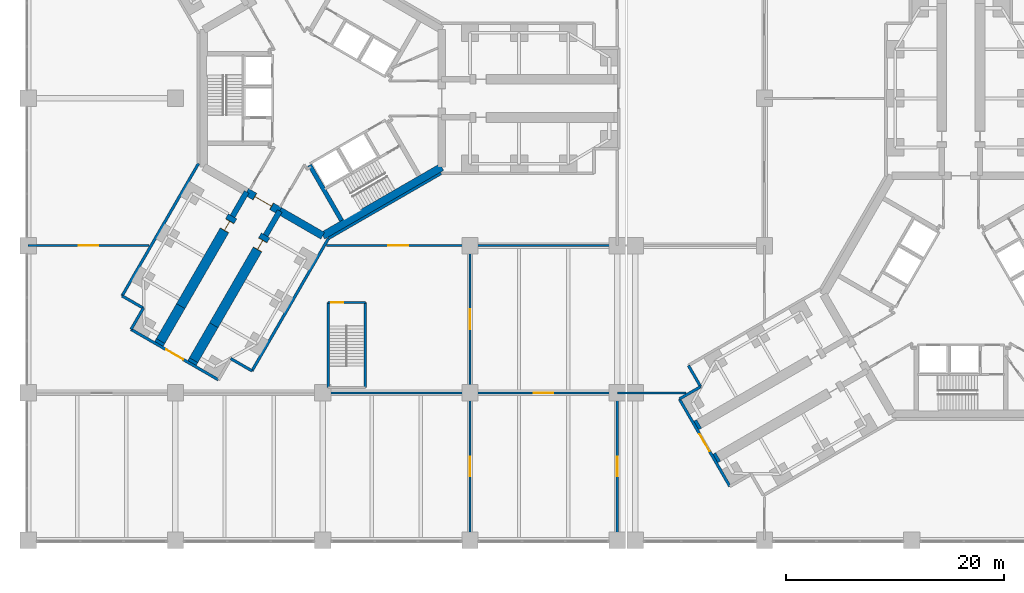
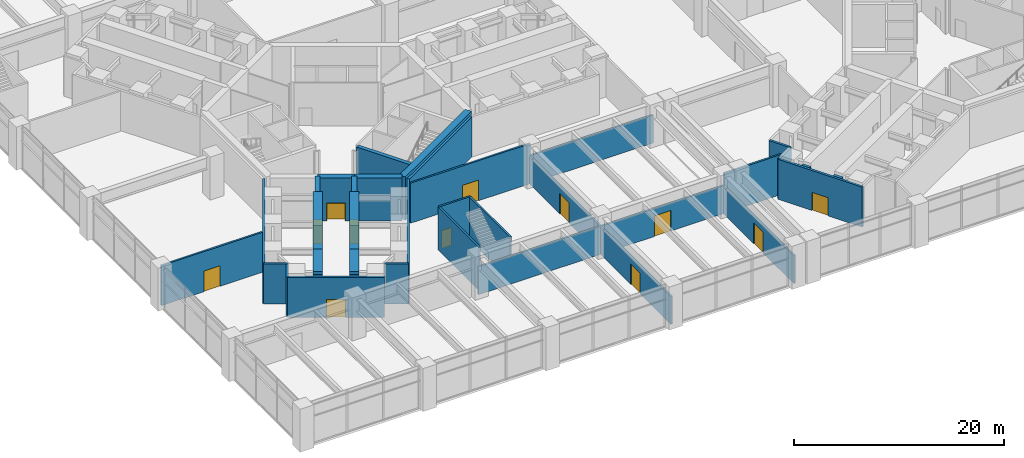
# One storey, part 21 of 32: 36 walls, 12 doors, 12 openings.
"""IFC4 building model written with IfcOpenShell, lengths in metres."""

import ifcopenshell
import ifcopenshell.guid

model = None  # the IFC model being written
_history = None  # IfcOwnerHistory: only IFC2X3 demands one
_inside = {}  # id of a spatial element -> (the spatial element, [elements in it])
_under = {}  # id of a project, library or spatial element -> (it, [spatial elements below it])
_declared = {}  # id of a project -> (the project, [libraries it declares])
_typed = {}  # id of a type object -> (the type object, [elements of that type])
_made_of = {}  # id of a material, layer set ... -> (it, [elements and type objects made of it])


def new_model(schema):
    """Start an empty IFC model of exactly this schema.

    Asked for "IFC4X3", IfcOpenShell would pick the latest addendum, in which some entities
    have other attributes; the version numbers below select the first issue.
    IFC2X3 requires an IfcOwnerHistory on every rooted entity: one is made here for all.
    """
    global model, _history
    if schema == "IFC4X3":
        model = ifcopenshell.file(schema_version=(4, 3, 0, 0))
    else:
        model = ifcopenshell.file(schema=schema)
    _inside.clear()
    _under.clear()
    _declared.clear()
    _typed.clear()
    _made_of.clear()
    _history = None
    if model.schema == "IFC2X3":
        org = make("IfcOrganization", Name="unknown")
        user = make(
            "IfcPersonAndOrganization",
            ThePerson=make("IfcPerson", FamilyName="unknown"),
            TheOrganization=org,
        )
        app = make(
            "IfcApplication",
            ApplicationDeveloper=org,
            Version="unknown",
            ApplicationFullName="unknown",
            ApplicationIdentifier="unknown",
        )
        _history = make(
            "IfcOwnerHistory",
            OwningUser=user,
            OwningApplication=app,
            ChangeAction="ADDED",
            CreationDate=0,
        )
    return model


def make(cls, **values):
    """One entity of the class cls with the attributes given. An attribute that is None is left unset."""
    return model.create_entity(
        cls, **{name: value for name, value in values.items() if value is not None}
    )


def rooted(cls, **values):
    """An entity with a GlobalId (a new one), such as an element, a storey or a relation."""
    return make(cls, GlobalId=ifcopenshell.guid.new(), OwnerHistory=_history, **values)


def si_unit(unit_type, name, prefix=None):
    """IfcSIUnit, for example si_unit("LENGTHUNIT", "METRE", prefix="MILLI")."""
    return make("IfcSIUnit", UnitType=unit_type, Prefix=prefix, Name=name)


def assignment(units):
    """IfcUnitAssignment: the units of a project."""
    return None if units is None else make("IfcUnitAssignment", Units=units)


def point(xyz):
    """IfcCartesianPoint."""
    return None if xyz is None else make("IfcCartesianPoint", Coordinates=xyz)


def direction(xyz):
    """IfcDirection."""
    return None if xyz is None else make("IfcDirection", DirectionRatios=xyz)


def frame(location, z_axis=None, x_axis=None):
    """IfcAxis2Placement3D, a coordinate frame: its origin and axes. An axis left out is left unset."""
    return make(
        "IfcAxis2Placement3D",
        Location=point(location),
        Axis=direction(z_axis),
        RefDirection=direction(x_axis),
    )


def frame_2d(location, x_axis=None):
    """IfcAxis2Placement2D, a coordinate frame in the plane: its origin and x axis."""
    return make(
        "IfcAxis2Placement2D", Location=point(location), RefDirection=direction(x_axis)
    )


def origin():
    """The frame at (0, 0, 0) with its axes left unset."""
    return frame((0.0, 0.0, 0.0))


def place(relative_to, where):
    """IfcLocalPlacement: puts the frame where relative to a parent placement (None: the world)."""
    return make(
        "IfcLocalPlacement", PlacementRelTo=relative_to, RelativePlacement=where
    )


def context(
    kind, dimensions, precision=None, world=None, true_north=None, identifier=None
):
    """IfcGeometricRepresentationContext, for example the 3D "Model" context."""
    return make(
        "IfcGeometricRepresentationContext",
        ContextIdentifier=identifier,
        ContextType=kind,
        CoordinateSpaceDimension=dimensions,
        Precision=precision,
        WorldCoordinateSystem=world,
        TrueNorth=true_north,
    )


def subcontext(parent, identifier, kind, view, scale=None):
    """IfcGeometricRepresentationSubContext, for example "Body" below "Model"."""
    return make(
        "IfcGeometricRepresentationSubContext",
        ContextIdentifier=identifier,
        ContextType=kind,
        ParentContext=parent,
        TargetScale=scale,
        TargetView=view,
    )


def project(units=None, contexts=None):
    """IfcProject with its units and contexts."""
    return rooted(
        "IfcProject",
        Name="project",
        RepresentationContexts=contexts,
        UnitsInContext=assignment(units),
    )


def spatial(cls, under=None, at=None, **own):
    """A site, building, storey or space (cls), placed at a placement, below another one or the project."""
    s = rooted(cls, ObjectPlacement=at, **own)
    if under is not None:
        _under.setdefault(under.id(), (under, []))[1].append(s)
    return s


def profile(cls, at=None, kind="AREA", **sizes):
    """A parametric profile (cls). Its sizes go by their IFC names, for example OverallWidth=200.0."""
    return make(cls, ProfileType=kind, Position=at, **sizes)


def rectangle(**sizes):
    """IfcRectangleProfileDef."""
    return profile("IfcRectangleProfileDef", **sizes)


def extrude(swept, where, along, depth):
    """IfcExtrudedAreaSolid: the profile swept, set in the frame where, extruded along a direction by depth."""
    return make(
        "IfcExtrudedAreaSolid",
        SweptArea=swept,
        Position=where,
        ExtrudedDirection=direction(along),
        Depth=depth,
    )


def shape(context_of_items, identifier, shape_type, items):
    """IfcShapeRepresentation: the items that make up one representation, for example the "Body"."""
    return make(
        "IfcShapeRepresentation",
        ContextOfItems=context_of_items,
        RepresentationIdentifier=identifier,
        RepresentationType=shape_type,
        Items=items,
    )


def material(Name=None, Category=None):
    """IfcMaterial."""
    return make("IfcMaterial", Name=Name, Category=Category)


def layer(
    of_material, thickness, ventilated=None, Name=None, Category=None, Priority=None
):
    """IfcMaterialLayer: one layer of a wall or slab, of a material (None: an air gap)."""
    return make(
        "IfcMaterialLayer",
        Material=of_material,
        LayerThickness=thickness,
        IsVentilated=ventilated,
        Name=Name,
        Category=Category,
        Priority=Priority,
    )


def layer_set(layers, Name=None):
    """IfcMaterialLayerSet."""
    return make("IfcMaterialLayerSet", MaterialLayers=layers, LayerSetName=Name)


def made_of(thing, what):
    """Note that an element or type object is made of a material, layer set ...; save() writes the relation."""
    if what is not None:
        _made_of.setdefault(what.id(), (what, []))[1].append(thing)
    return thing


def type_object(cls, material=None, **own):
    """A type object (cls), such as IfcWallType, which elements share."""
    return made_of(rooted(cls, **own), material)


def element(
    cls,
    number,
    at=None,
    inside=None,
    cuts=None,
    type_object=None,
    material=None,
    context=None,
    identifier="Body",
    shape_type=None,
    held_by="IfcProductDefinitionShape",
    body=None,
    shapes=None,
    **own,
):
    """One element of the class cls, such as IfcWall. Its Tag is "e" and its number.

    at: its placement. inside: the storey or other place that contains it. cuts: it is an
    opening in that element (IfcRelVoidsElement). A single representation is given by context,
    identifier, shape_type and body (its items); several are given by shapes. held_by: the class
    of the entity that holds the representations. save() writes the other relations.
    """
    e = rooted(cls, Tag="e%d" % number, ObjectPlacement=at, **own)
    if body is not None:
        shapes = [shape(context, identifier, shape_type, body)]
    if shapes is not None:
        e.Representation = make(held_by, Representations=shapes)
    if inside is not None:
        _inside.setdefault(inside.id(), (inside, []))[1].append(e)
    if cuts is not None:
        rooted(
            "IfcRelVoidsElement", RelatingBuildingElement=cuts, RelatedOpeningElement=e
        )
    if type_object is not None:
        _typed.setdefault(type_object.id(), (type_object, []))[1].append(e)
    return made_of(e, material)


def fill(opening, filler):
    """IfcRelFillsElement: the door or window that sits in an opening."""
    return rooted(
        "IfcRelFillsElement",
        RelatingOpeningElement=opening,
        RelatedBuildingElement=filler,
    )


def aggregate(whole, parts):
    """IfcRelAggregates: a whole, such as a stair, and the parts it consists of."""
    return rooted("IfcRelAggregates", RelatingObject=whole, RelatedObjects=parts)


def save(model, path):
    """Write the relations noted so far, then the file.

    IfcRelAggregates (storeys below a building ...), IfcRelContainedInSpatialStructure (elements
    in a storey), IfcRelDefinesByType, IfcRelAssociatesMaterial and IfcRelDeclares: one each for
    every whole, place, type object, material and project.
    """
    for whole, parts in _under.values():
        aggregate(whole, parts)
    for where, things in _inside.values():
        rooted(
            "IfcRelContainedInSpatialStructure",
            RelatedElements=things,
            RelatingStructure=where,
        )
    for kind, things in _typed.values():
        rooted("IfcRelDefinesByType", RelatedObjects=things, RelatingType=kind)
    for what, things in _made_of.values():
        rooted("IfcRelAssociatesMaterial", RelatedObjects=things, RelatingMaterial=what)
    for by, libraries in _declared.values():
        rooted("IfcRelDeclares", RelatingContext=by, RelatedDefinitions=libraries)
    model.write(path)


model = new_model("IFC4")

# Units and contexts
model_context = context("Model", 3, precision=1e-05, world=origin(), true_north=direction((0.0, 1.0)))
body_context = subcontext(model_context, "Body", "Model", "MODEL_VIEW")
ifc_project = project(units=[si_unit("LENGTHUNIT", "METRE"), si_unit("AREAUNIT", "SQUARE_METRE"), si_unit("VOLUMEUNIT", "CUBIC_METRE"), si_unit("PLANEANGLEUNIT", "RADIAN"), si_unit("MASSUNIT", "GRAM", prefix="KILO")], contexts=[model_context])

# Site, building, storey
site_placement = place(None, origin())
site = spatial("IfcSite", under=ifc_project, at=site_placement, CompositionType="ELEMENT")
building_placement = place(site_placement, origin())
building = spatial("IfcBuilding", under=site, at=building_placement, Name="Upepo Twin Towers", CompositionType="ELEMENT")
storey_placement = place(building_placement, frame((0.0, 0.0, 5.5)))
storey = spatial("IfcBuildingStorey", under=building, at=storey_placement, Name="L01", CompositionType="ELEMENT", Elevation=5.5)

# Walls
ifc_material_1 = material(Name="Dense concrete blockwork", Category="masonry")
ifc_layer_1 = layer(ifc_material_1, 0.89990234375)
ifc_layer_set_1 = layer_set([ifc_layer_1], Name="Buttress closer 900, blockwork with fire-stopping to the curtain wall")
wall_type_1 = type_object("IfcWallType", Name="Buttress closer 900, blockwork with fire-stopping to the curtain wall", PredefinedType="PARTITIONING", material=ifc_layer_set_1)
wall_1_placement = place(storey_placement, frame((-11.83447265625, -23.997802734375, 0.0), z_axis=(0.0, 0.0, 1.0), x_axis=(-0.499816412211, -0.866131372301, 0.0)))
element("IfcWall", 1, at=wall_1_placement, inside=storey, type_object=wall_type_1, Name="T1 L01 wing C buttress closer L", PredefinedType="PARTITIONING", context=body_context, shape_type="SweptSolid", body=[
    extrude(rectangle(XDim=0.2998046875, YDim=0.89990234375, at=frame_2d((0.14990234375, 0.0))), origin(), (0.0, 0.0, 1.0), 4.64990234375),
])
for number, where, z_axis, x_axis, name in (
    (2, (-14.865478515625, -22.247802734375, 0.0), (0.0, 0.0, 1.0), (-0.500426713919, -0.865778900179, 0.0), "T1 L01 wing C buttress closer R"),
    (3, (36.252197265625, -32.865478515625, 0.0), (0.0, 0.0, 1.0), (-0.865778900179, -0.500426713919, 0.0), "T2 L01 wing B buttress closer L"),
):
    element("IfcWall", number, at=place(storey_placement, frame(where, z_axis=z_axis, x_axis=x_axis)), inside=storey, type_object=wall_type_1, Name=name, PredefinedType="PARTITIONING", context=body_context, shape_type="SweptSolid", body=[
        extrude(rectangle(XDim=0.300048828125, YDim=0.89990234375, at=frame_2d((0.14990234375, 0.0))), origin(), (0.0, 0.0, 1.0), 4.64990234375),
    ])
wall_2_placement = place(storey_placement, frame((34.502197265625, -29.83447265625, 0.0), z_axis=(0.0, 0.0, 1.0), x_axis=(-0.866131372301, -0.499816412211, 0.0)))
element("IfcWall", 4, at=wall_2_placement, inside=storey, type_object=wall_type_1, Name="T2 L01 wing B buttress closer R", PredefinedType="PARTITIONING", context=body_context, shape_type="SweptSolid", body=[
    extrude(rectangle(XDim=0.2998046875, YDim=0.89990234375, at=frame_2d((0.14990234375, 0.0))), origin(), (0.0, 0.0, 1.0), 4.64990234375),
])
ifc_material_2 = material(Name="Concrete C60/75", Category="concrete")
ifc_layer_2 = layer(ifc_material_2, 0.5)
ifc_layer_set_2 = layer_set([ifc_layer_2], Name="Concrete C60/75")
wall_type_2 = type_object("IfcWallType", Name="Buttress wall 500 RC", PredefinedType="SHEAR", material=ifc_layer_set_2)
for number, where, z_axis, x_axis, name in (
    (5, (-3.938720703125, -10.32177734375, 0.0), (0.0, 0.0, 1.0), (-0.499918158782, -0.866072649678, 0.0), "T1 wing C buttress wall L"),
    (6, (-6.9697265625, -8.57177734375, 0.0), (0.0, 0.0, 1.0), (-0.499988811324, -0.866031863473, 0.0), "T1 wing C buttress wall R"),
):
    element("IfcWall", number, at=place(storey_placement, frame(where, z_axis=z_axis, x_axis=x_axis)), inside=storey, type_object=wall_type_2, Name=name, PredefinedType="SHEAR", context=body_context, shape_type="SweptSolid", body=[
        extrude(rectangle(XDim=2.591796875, YDim=0.5, at=frame_2d((1.2958984375, 0.0))), origin(), (0.0, 0.0, 1.0), 5.0),
    ])

# Wall, opening, door
ifc_material_3 = material(Name="Concrete C60/75", Category="concrete")
ifc_layer_3 = layer(ifc_material_3, 0.89990234375)
ifc_layer_set_3 = layer_set([ifc_layer_3], Name="Concrete C60/75")
wall_type_3 = type_object("IfcWallType", Name="Buttress wall 900 RC", PredefinedType="SHEAR", material=ifc_layer_set_3)
wall_3_placement = place(storey_placement, frame((-5.234375, -12.56640625, 0.0), z_axis=(0.0, 0.0, 1.0), x_axis=(-0.499997557548, -0.86602681393, 0.0)))
wall_3 = element("IfcWall", 7, at=wall_3_placement, inside=storey, type_object=wall_type_3, Name="T1 wing C buttress wall L part 2", PredefinedType="SHEAR", context=body_context, shape_type="SweptSolid", body=[
    extrude(rectangle(XDim=9.5, YDim=0.89990234375, at=frame_2d((4.75, 0.0))), origin(), (0.0, 0.0, 1.0), 5.0),
])
opening_1_placement = place(wall_3_placement, frame((0.5, 0.0, 0.0)))
opening_1 = element("IfcOpeningElement", 8, at=opening_1_placement, cuts=wall_3, Name="Opening D1", PredefinedType="OPENING", context=body_context, shape_type="SweptSolid", body=[
    extrude(rectangle(XDim=1.0, YDim=2.10009765625, at=frame_2d((0.5, 1.050048828125))), frame((0.0, 0.4599609375, 0.0), z_axis=(0.0, -1.0, 0.0), x_axis=(1.0, 0.0, 0.0)), (0.0, 0.0, 1.0), 0.919921875),
])
ifc_material_4 = material(Name="Timber doorset", Category="wood")
door_type_1 = type_object("IfcDoorType", Name="Room door 1000 FD30", OperationType="SINGLE_SWING_LEFT", PredefinedType="DOOR", material=ifc_material_4)
door_1_placement = place(opening_1_placement, origin())
door_1 = element("IfcDoor", 9, at=door_1_placement, inside=storey, type_object=door_type_1, Name="T1 L01 faculty office door", OperationType="SINGLE_SWING_LEFT", OverallHeight=2.10009765625, OverallWidth=1.0, PredefinedType="DOOR", context=body_context, shape_type="SweptSolid", body=[
    extrude(rectangle(XDim=0.92, YDim=2.06009765625, at=frame_2d((0.5, 1.030029296875))), frame((0.0, 0.02490234375, 0.0), z_axis=(0.0, -1.0, 0.0), x_axis=(1.0, 0.0, 0.0)), (0.0, 0.0, 1.0), 0.050048828125),
    extrude(rectangle(XDim=0.04, YDim=2.10009765625, at=frame_2d((0.02001953125, 1.050048828125))), frame((0.0, 0.44970703125, 0.0), z_axis=(0.0, -1.0, 0.0), x_axis=(1.0, 0.0, 0.0)), (0.0, 0.0, 1.0), 0.8994140625),
    extrude(rectangle(XDim=0.04, YDim=2.10009765625, at=frame_2d((0.97998046875, 1.050048828125))), frame((0.0, 0.44970703125, 0.0), z_axis=(0.0, -1.0, 0.0), x_axis=(1.0, 0.0, 0.0)), (0.0, 0.0, 1.0), 0.8994140625),
    extrude(rectangle(XDim=0.92, YDim=0.04, at=frame_2d((0.5, 2.080078125))), frame((0.0, 0.44970703125, 0.0), z_axis=(0.0, -1.0, 0.0), x_axis=(1.0, 0.0, 0.0)), (0.0, 0.0, 1.0), 0.8994140625),
])
fill(opening_1, door_1)

# Wall
wall_4_placement = place(storey_placement, frame((-9.984375, -20.793701171875, 0.0), z_axis=(0.0, 0.0, 1.0), x_axis=(-0.500042316284, -0.866000971088, 0.0)))
element("IfcWall", 10, at=wall_4_placement, inside=storey, type_object=wall_type_3, Name="T1 wing C buttress wall L part 3", PredefinedType="SHEAR", context=body_context, shape_type="SweptSolid", body=[
    extrude(rectangle(XDim=3.699951171875, YDim=0.89990234375, at=frame_2d((1.85009765625, 0.0))), origin(), (0.0, 0.0, 1.0), 5.0),
])

# Wall, opening, door
wall_5_placement = place(storey_placement, frame((-8.265625, -10.81640625, 0.0), z_axis=(0.0, 0.0, 1.0), x_axis=(-0.499997557548, -0.86602681393, 0.0)))
wall_5 = element("IfcWall", 11, at=wall_5_placement, inside=storey, type_object=wall_type_3, Name="T1 wing C buttress wall R part 2", PredefinedType="SHEAR", context=body_context, shape_type="SweptSolid", body=[
    extrude(rectangle(XDim=9.5, YDim=0.89990234375, at=frame_2d((4.75, 0.0))), origin(), (0.0, 0.0, 1.0), 5.0),
])
opening_2_placement = place(wall_5_placement, frame((0.5, 0.0, 0.0)))
opening_2 = element("IfcOpeningElement", 12, at=opening_2_placement, cuts=wall_5, Name="Opening D1", PredefinedType="OPENING", context=body_context, shape_type="SweptSolid", body=[
    extrude(rectangle(XDim=1.0, YDim=2.10009765625, at=frame_2d((0.5, 1.050048828125))), frame((0.0, 0.4599609375, 0.0), z_axis=(0.0, -1.0, 0.0), x_axis=(1.0, 0.0, 0.0)), (0.0, 0.0, 1.0), 0.919921875),
])
door_2_placement = place(opening_2_placement, origin())
door_2 = element("IfcDoor", 13, at=door_2_placement, inside=storey, type_object=door_type_1, Name="T1 L01 faculty office door", OperationType="SINGLE_SWING_LEFT", OverallHeight=2.10009765625, OverallWidth=1.0, PredefinedType="DOOR", context=body_context, shape_type="SweptSolid", body=[
    extrude(rectangle(XDim=0.92, YDim=2.06009765625, at=frame_2d((0.5, 1.030029296875))), frame((0.0, 0.02490234375, 0.0), z_axis=(0.0, -1.0, 0.0), x_axis=(1.0, 0.0, 0.0)), (0.0, 0.0, 1.0), 0.050048828125),
    extrude(rectangle(XDim=0.04, YDim=2.10009765625, at=frame_2d((0.02001953125, 1.050048828125))), frame((0.0, 0.44970703125, 0.0), z_axis=(0.0, -1.0, 0.0), x_axis=(1.0, 0.0, 0.0)), (0.0, 0.0, 1.0), 0.8994140625),
    extrude(rectangle(XDim=0.04, YDim=2.10009765625, at=frame_2d((0.97998046875, 1.050048828125))), frame((0.0, 0.44970703125, 0.0), z_axis=(0.0, -1.0, 0.0), x_axis=(1.0, 0.0, 0.0)), (0.0, 0.0, 1.0), 0.8994140625),
    extrude(rectangle(XDim=0.92, YDim=0.04, at=frame_2d((0.5, 2.080078125))), frame((0.0, 0.44970703125, 0.0), z_axis=(0.0, -1.0, 0.0), x_axis=(1.0, 0.0, 0.0)), (0.0, 0.0, 1.0), 0.8994140625),
])
fill(opening_2, door_2)

# Wall
wall_6_placement = place(storey_placement, frame((-13.015625, -19.043701171875, 0.0), z_axis=(0.0, 0.0, 1.0), x_axis=(-0.499992827086, -0.866029545028, 0.0)))
element("IfcWall", 14, at=wall_6_placement, inside=storey, type_object=wall_type_3, Name="T1 wing C buttress wall R part 3", PredefinedType="SHEAR", context=body_context, shape_type="SweptSolid", body=[
    extrude(rectangle(XDim=3.69970703125, YDim=0.89990234375, at=frame_2d((1.849853515625, 0.0))), origin(), (0.0, 0.0, 1.0), 5.0),
])

# Wall, opening, door
ifc_material_5 = material(Name="Concrete C60/75", Category="concrete")
ifc_layer_4 = layer(ifc_material_5, 0.699951171875)
ifc_layer_set_4 = layer_set([ifc_layer_4], Name="Concrete C60/75")
wall_type_4 = type_object("IfcWallType", Name="Core wall 700 RC", PredefinedType="SHEAR", material=ifc_layer_set_4)
wall_7_placement = place(storey_placement, frame((-6.9697265625, -8.57177734375, 0.0), z_axis=(0.0, 0.0, 1.0), x_axis=(0.866019471182, -0.500010275428, 0.0)))
wall_7 = element("IfcWall", 15, at=wall_7_placement, inside=storey, type_object=wall_type_4, Name="T1 core wall 240", PredefinedType="SHEAR", context=body_context, shape_type="SweptSolid", body=[
    extrude(rectangle(XDim=3.5, YDim=0.699951171875, at=frame_2d((1.75, 0.0))), origin(), (0.0, 0.0, 1.0), 5.0),
])
opening_3_placement = place(wall_7_placement, frame((0.85009765625, 0.0, 0.0)))
opening_3 = element("IfcOpeningElement", 16, at=opening_3_placement, cuts=wall_7, Name="Opening D2", PredefinedType="OPENING", context=body_context, shape_type="SweptSolid", body=[
    extrude(rectangle(XDim=1.800048828125, YDim=2.10009765625, at=frame_2d((0.89990234375, 1.050048828125))), frame((0.0, 0.35986328125, 0.0), z_axis=(0.0, -1.0, 0.0), x_axis=(1.0, 0.0, 0.0)), (0.0, 0.0, 1.0), 0.719970703125),
])
ifc_material_6 = material(Name="Timber doorset", Category="wood")
door_type_2 = type_object("IfcDoorType", Name="Corridor double door 1800 FD60", OperationType="DOUBLE_DOOR_DOUBLE_SWING", PredefinedType="DOOR", material=ifc_material_6)
door_3_placement = place(opening_3_placement, origin())
door_3 = element("IfcDoor", 17, at=door_3_placement, inside=storey, type_object=door_type_2, Name="T1 L01 wing C corridor door", OperationType="DOUBLE_DOOR_DOUBLE_SWING", OverallHeight=2.10009765625, OverallWidth=1.800048828125, PredefinedType="DOOR", context=body_context, shape_type="SweptSolid", body=[
    extrude(rectangle(XDim=1.720048828125, YDim=2.06009765625, at=frame_2d((0.89990234375, 1.030029296875))), frame((0.0, 0.02490234375, 0.0), z_axis=(0.0, -1.0, 0.0), x_axis=(1.0, 0.0, 0.0)), (0.0, 0.0, 1.0), 0.050048828125),
    extrude(rectangle(XDim=0.04, YDim=2.10009765625, at=frame_2d((0.02001953125, 1.050048828125))), frame((0.0, 0.349609375, 0.0), z_axis=(0.0, -1.0, 0.0), x_axis=(1.0, 0.0, 0.0)), (0.0, 0.0, 1.0), 0.699462890625),
    extrude(rectangle(XDim=0.04, YDim=2.10009765625, at=frame_2d((1.780029296875, 1.050048828125))), frame((0.0, 0.349609375, 0.0), z_axis=(0.0, -1.0, 0.0), x_axis=(1.0, 0.0, 0.0)), (0.0, 0.0, 1.0), 0.699462890625),
    extrude(rectangle(XDim=1.720048828125, YDim=0.04, at=frame_2d((0.89990234375, 2.080078125))), frame((0.0, 0.349609375, 0.0), z_axis=(0.0, -1.0, 0.0), x_axis=(1.0, 0.0, 0.0)), (0.0, 0.0, 1.0), 0.699462890625),
])
fill(opening_3, door_3)

# Walls
wall_8_placement = place(storey_placement, frame((-3.938720703125, -10.32177734375, 0.0), z_axis=(0.0, 0.0, 1.0), x_axis=(0.866011268655, -0.500024481964, 0.0)))
element("IfcWall", 18, at=wall_8_placement, inside=storey, type_object=wall_type_4, Name="T1 core wall 240 L", PredefinedType="SHEAR", context=body_context, shape_type="SweptSolid", body=[
    extrude(rectangle(XDim=4.548095703125, YDim=0.699951171875, at=frame_2d((2.27392578125, 0.0))), origin(), (0.0, 0.0, 1.0), 5.0),
])
wall_9_placement = place(storey_placement, frame((0.0, -12.595947265625, 0.0), z_axis=(0.0, 0.0, 1.0), x_axis=(0.866021940709, 0.500005998175, 0.0)))
element("IfcWall", 19, at=wall_9_placement, inside=storey, type_object=wall_type_4, Name="T1 core wall 300", PredefinedType="SHEAR", context=body_context, shape_type="SweptSolid", body=[
    extrude(rectangle(XDim=12.595947265625, YDim=0.699951171875, at=frame_2d((6.2978515625, 0.0))), origin(), (0.0, 0.0, 1.0), 5.0),
])

# Wall, opening, door
ifc_material_7 = material(Name="Concrete blockwork", Category="masonry")
ifc_layer_5 = layer(ifc_material_7, 0.199951171875)
ifc_layer_set_5 = layer_set([ifc_layer_5], Name="Podium partition 200 blockwork")
wall_type_5 = type_object("IfcWallType", Name="Podium partition 200 blockwork", PredefinedType="PARTITIONING", material=ifc_layer_set_5)
wall_10_placement = place(storey_placement, frame((-27.0, -13.5, 0.0), z_axis=(0.0, 0.0, 1.0), x_axis=(1.0, 0.0, 0.0)))
wall_10 = element("IfcWall", 20, at=wall_10_placement, inside=storey, type_object=wall_type_5, Name="L01 podium wall Y02", PredefinedType="PARTITIONING", context=body_context, shape_type="SweptSolid", body=[
    extrude(rectangle(XDim=11.065185546875, YDim=0.199951171875, at=frame_2d((5.53271484375, 0.0))), origin(), (0.0, 0.0, 1.0), 4.64990234375),
])
opening_4_placement = place(wall_10_placement, frame((4.632568359375, 0.0, 0.0)))
opening_4 = element("IfcOpeningElement", 21, at=opening_4_placement, cuts=wall_10, Name="Opening D10", PredefinedType="OPENING", context=body_context, shape_type="SweptSolid", body=[
    extrude(rectangle(XDim=1.800048828125, YDim=2.39990234375, at=frame_2d((0.89990234375, 1.199951171875))), frame((0.0, 0.10986328125, 0.0), z_axis=(0.0, -1.0, 0.0), x_axis=(1.0, 0.0, 0.0)), (0.0, 0.0, 1.0), 0.219970703125),
])
ifc_material_8 = material(Name="Timber doorset", Category="wood")
door_type_3 = type_object("IfcDoorType", Name="Podium double door 1800", OperationType="DOUBLE_DOOR_DOUBLE_SWING", PredefinedType="DOOR", material=ifc_material_8)
door_4_placement = place(opening_4_placement, origin())
door_4 = element("IfcDoor", 22, at=door_4_placement, inside=storey, type_object=door_type_3, Name="L01 faculty offices 1.01 door", OperationType="DOUBLE_DOOR_DOUBLE_SWING", OverallHeight=2.39990234375, OverallWidth=1.800048828125, PredefinedType="DOOR", context=body_context, shape_type="SweptSolid", body=[
    extrude(rectangle(XDim=1.800048828125, YDim=2.39990234375, at=frame_2d((0.89990234375, 1.199951171875))), frame((0.0, 0.02490234375, 0.0), z_axis=(0.0, -1.0, 0.0), x_axis=(1.0, 0.0, 0.0)), (0.0, 0.0, 1.0), 0.050048828125),
])
fill(opening_4, door_4)

wall_11_placement = place(storey_placement, frame((13.5, -40.5, 0.0), z_axis=(0.0, 0.0, 1.0), x_axis=(0.0, 1.0, 0.0)))
wall_11 = element("IfcWall", 23, at=wall_11_placement, inside=storey, type_object=wall_type_5, Name="L01 podium wall X30", PredefinedType="PARTITIONING", context=body_context, shape_type="SweptSolid", body=[
    extrude(rectangle(XDim=13.5, YDim=0.199951171875, at=frame_2d((6.75, 0.0))), origin(), (0.0, 0.0, 1.0), 3.25),
])
opening_5_placement = place(wall_11_placement, frame((5.85009765625, 0.0, 0.0)))
opening_5 = element("IfcOpeningElement", 24, at=opening_5_placement, cuts=wall_11, Name="Opening D10", PredefinedType="OPENING", context=body_context, shape_type="SweptSolid", body=[
    extrude(rectangle(XDim=1.800048828125, YDim=2.39990234375, at=frame_2d((0.89990234375, 1.199951171875))), frame((0.0, 0.10986328125, 0.0), z_axis=(0.0, -1.0, 0.0), x_axis=(1.0, 0.0, 0.0)), (0.0, 0.0, 1.0), 0.219970703125),
])
door_5_placement = place(opening_5_placement, origin())
door_5 = element("IfcDoor", 25, at=door_5_placement, inside=storey, type_object=door_type_3, Name="L01 computer laboratory 1-it and av equipment store door", OperationType="DOUBLE_DOOR_DOUBLE_SWING", OverallHeight=2.39990234375, OverallWidth=1.800048828125, PredefinedType="DOOR", context=body_context, shape_type="SweptSolid", body=[
    extrude(rectangle(XDim=1.800048828125, YDim=2.39990234375, at=frame_2d((0.89990234375, 1.199951171875))), frame((0.0, 0.02490234375, 0.0), z_axis=(0.0, -1.0, 0.0), x_axis=(1.0, 0.0, 0.0)), (0.0, 0.0, 1.0), 0.050048828125),
])
fill(opening_5, door_5)

# Wall
wall_12_placement = place(storey_placement, frame((0.0, -27.0, 0.0), z_axis=(0.0, 0.0, 1.0), x_axis=(1.0, 0.0, 0.0)))
element("IfcWall", 26, at=wall_12_placement, inside=storey, type_object=wall_type_5, Name="L01 podium wall Y21", PredefinedType="PARTITIONING", context=body_context, shape_type="SweptSolid", body=[
    extrude(rectangle(XDim=13.5, YDim=0.199951171875, at=frame_2d((6.75, 0.0))), origin(), (0.0, 0.0, 1.0), 3.25),
])

# Wall, opening, door
wall_13_placement = place(storey_placement, frame((13.5, -27.0, 0.0), z_axis=(0.0, 0.0, 1.0), x_axis=(0.0, 1.0, 0.0)))
wall_13 = element("IfcWall", 27, at=wall_13_placement, inside=storey, type_object=wall_type_5, Name="L01 podium wall X31", PredefinedType="PARTITIONING", context=body_context, shape_type="SweptSolid", body=[
    extrude(rectangle(XDim=13.5, YDim=0.199951171875, at=frame_2d((6.75, 0.0))), origin(), (0.0, 0.0, 1.0), 3.25),
])
opening_6_placement = place(wall_13_placement, frame((5.85009765625, 0.0, 0.0)))
opening_6 = element("IfcOpeningElement", 28, at=opening_6_placement, cuts=wall_13, Name="Opening D10", PredefinedType="OPENING", context=body_context, shape_type="SweptSolid", body=[
    extrude(rectangle(XDim=1.800048828125, YDim=2.39990234375, at=frame_2d((0.89990234375, 1.199951171875))), frame((0.0, 0.10986328125, 0.0), z_axis=(0.0, -1.0, 0.0), x_axis=(1.0, 0.0, 0.0)), (0.0, 0.0, 1.0), 0.219970703125),
])
door_6_placement = place(opening_6_placement, origin())
door_6 = element("IfcDoor", 29, at=door_6_placement, inside=storey, type_object=door_type_3, Name="L01 computer laboratory 3 door", OperationType="DOUBLE_DOOR_DOUBLE_SWING", OverallHeight=2.39990234375, OverallWidth=1.800048828125, PredefinedType="DOOR", context=body_context, shape_type="SweptSolid", body=[
    extrude(rectangle(XDim=1.800048828125, YDim=2.39990234375, at=frame_2d((0.89990234375, 1.199951171875))), frame((0.0, 0.02490234375, 0.0), z_axis=(0.0, -1.0, 0.0), x_axis=(1.0, 0.0, 0.0)), (0.0, 0.0, 1.0), 0.050048828125),
])
fill(opening_6, door_6)

wall_14_placement = place(storey_placement, frame((0.346435546875, -13.5, 0.0), z_axis=(0.0, 0.0, 1.0), x_axis=(1.0, 0.0, 0.0)))
wall_14 = element("IfcWall", 30, at=wall_14_placement, inside=storey, type_object=wall_type_5, Name="L01 podium wall Y22", PredefinedType="PARTITIONING", context=body_context, shape_type="SweptSolid", body=[
    extrude(rectangle(XDim=13.153564453125, YDim=0.199951171875, at=frame_2d((6.57666015625, 0.0))), origin(), (0.0, 0.0, 1.0), 4.64990234375),
])
opening_7_placement = place(wall_14_placement, frame((5.6767578125, 0.0, 0.0)))
opening_7 = element("IfcOpeningElement", 31, at=opening_7_placement, cuts=wall_14, Name="Opening D10", PredefinedType="OPENING", context=body_context, shape_type="SweptSolid", body=[
    extrude(rectangle(XDim=1.800048828125, YDim=2.39990234375, at=frame_2d((0.89990234375, 1.199951171875))), frame((0.0, 0.10986328125, 0.0), z_axis=(0.0, -1.0, 0.0), x_axis=(1.0, 0.0, 0.0)), (0.0, 0.0, 1.0), 0.219970703125),
])
door_7_placement = place(opening_7_placement, origin())
door_7 = element("IfcDoor", 32, at=door_7_placement, inside=storey, type_object=door_type_3, Name="L01 toilets door", OperationType="DOUBLE_DOOR_DOUBLE_SWING", OverallHeight=2.39990234375, OverallWidth=1.800048828125, PredefinedType="DOOR", context=body_context, shape_type="SweptSolid", body=[
    extrude(rectangle(XDim=1.800048828125, YDim=2.39990234375, at=frame_2d((0.89990234375, 1.199951171875))), frame((0.0, 0.02490234375, 0.0), z_axis=(0.0, -1.0, 0.0), x_axis=(1.0, 0.0, 0.0)), (0.0, 0.0, 1.0), 0.050048828125),
])
fill(opening_7, door_7)

wall_15_placement = place(storey_placement, frame((27.0, -40.5, 0.0), z_axis=(0.0, 0.0, 1.0), x_axis=(0.0, 1.0, 0.0)))
wall_15 = element("IfcWall", 33, at=wall_15_placement, inside=storey, type_object=wall_type_5, Name="L01 podium wall X40", PredefinedType="PARTITIONING", context=body_context, shape_type="SweptSolid", body=[
    extrude(rectangle(XDim=13.5, YDim=0.199951171875, at=frame_2d((6.75, 0.0))), origin(), (0.0, 0.0, 1.0), 3.25),
])
opening_8_placement = place(wall_15_placement, frame((5.85009765625, 0.0, 0.0)))
opening_8 = element("IfcOpeningElement", 34, at=opening_8_placement, cuts=wall_15, Name="Opening D10", PredefinedType="OPENING", context=body_context, shape_type="SweptSolid", body=[
    extrude(rectangle(XDim=1.800048828125, YDim=2.39990234375, at=frame_2d((0.89990234375, 1.199951171875))), frame((0.0, 0.10986328125, 0.0), z_axis=(0.0, -1.0, 0.0), x_axis=(1.0, 0.0, 0.0)), (0.0, 0.0, 1.0), 0.219970703125),
])
door_8_placement = place(opening_8_placement, origin())
door_8 = element("IfcDoor", 35, at=door_8_placement, inside=storey, type_object=door_type_3, Name="L01 it and av equipment store door", OperationType="DOUBLE_DOOR_DOUBLE_SWING", OverallHeight=2.39990234375, OverallWidth=1.800048828125, PredefinedType="DOOR", context=body_context, shape_type="SweptSolid", body=[
    extrude(rectangle(XDim=1.800048828125, YDim=2.39990234375, at=frame_2d((0.89990234375, 1.199951171875))), frame((0.0, 0.02490234375, 0.0), z_axis=(0.0, -1.0, 0.0), x_axis=(1.0, 0.0, 0.0)), (0.0, 0.0, 1.0), 0.050048828125),
])
fill(opening_8, door_8)

wall_16_placement = place(storey_placement, frame((13.5, -27.0, 0.0), z_axis=(0.0, 0.0, 1.0), x_axis=(1.0, 0.0, 0.0)))
wall_16 = element("IfcWall", 36, at=wall_16_placement, inside=storey, type_object=wall_type_5, Name="L01 podium wall Y31", PredefinedType="PARTITIONING", context=body_context, shape_type="SweptSolid", body=[
    extrude(rectangle(XDim=13.5, YDim=0.199951171875, at=frame_2d((6.75, 0.0))), origin(), (0.0, 0.0, 1.0), 3.25),
])
opening_9_placement = place(wall_16_placement, frame((5.85009765625, 0.0, 0.0)))
opening_9 = element("IfcOpeningElement", 37, at=opening_9_placement, cuts=wall_16, Name="Opening D10", PredefinedType="OPENING", context=body_context, shape_type="SweptSolid", body=[
    extrude(rectangle(XDim=1.800048828125, YDim=2.39990234375, at=frame_2d((0.89990234375, 1.199951171875))), frame((0.0, 0.10986328125, 0.0), z_axis=(0.0, -1.0, 0.0), x_axis=(1.0, 0.0, 0.0)), (0.0, 0.0, 1.0), 0.219970703125),
])
door_9_placement = place(opening_9_placement, origin())
door_9 = element("IfcDoor", 38, at=door_9_placement, inside=storey, type_object=door_type_3, Name="L01 it and av equipment store-computer laboratory 3 door", OperationType="DOUBLE_DOOR_DOUBLE_SWING", OverallHeight=2.39990234375, OverallWidth=1.800048828125, PredefinedType="DOOR", context=body_context, shape_type="SweptSolid", body=[
    extrude(rectangle(XDim=1.800048828125, YDim=2.39990234375, at=frame_2d((0.89990234375, 1.199951171875))), frame((0.0, 0.02490234375, 0.0), z_axis=(0.0, -1.0, 0.0), x_axis=(1.0, 0.0, 0.0)), (0.0, 0.0, 1.0), 0.050048828125),
])
fill(opening_9, door_9)

# Walls
wall_17_placement = place(storey_placement, frame((13.5, -13.5, 0.0), z_axis=(0.0, 0.0, 1.0), x_axis=(1.0, 0.0, 0.0)))
element("IfcWall", 39, at=wall_17_placement, inside=storey, type_object=wall_type_5, Name="L01 podium wall Y32", PredefinedType="PARTITIONING", context=body_context, shape_type="SweptSolid", body=[
    extrude(rectangle(XDim=13.5, YDim=0.199951171875, at=frame_2d((6.75, 0.0))), origin(), (0.0, 0.0, 1.0), 3.25),
])
wall_18_placement = place(storey_placement, frame((27.0, -27.0, 0.0), z_axis=(0.0, 0.0, 1.0), x_axis=(1.0, 0.0, 0.0)))
element("IfcWall", 40, at=wall_18_placement, inside=storey, type_object=wall_type_5, Name="L01 podium wall Y41", PredefinedType="PARTITIONING", context=body_context, shape_type="SweptSolid", body=[
    extrude(rectangle(XDim=6.3115234375, YDim=0.199951171875, at=frame_2d((3.15576171875, 0.0))), origin(), (0.0, 0.0, 1.0), 4.64990234375),
])
ifc_material_9 = material(Name="Concrete C40/50", Category="concrete")
ifc_layer_6 = layer(ifc_material_9, 0.199951171875)
ifc_layer_set_6 = layer_set([ifc_layer_6], Name="Concrete C40/50")
wall_type_6 = type_object("IfcWallType", Name="Podium stair enclosure 200 RC", PredefinedType="SHEAR", material=ifc_layer_set_6)
wall_19_placement = place(storey_placement, frame((3.89990234375, -26.5, 0.0), z_axis=(0.0, 0.0, 1.0), x_axis=(0.0, 1.0, 0.0)))
element("IfcWall", 41, at=wall_19_placement, inside=storey, type_object=wall_type_6, Name="PS3 L01 enclosure wall 2", PredefinedType="SHEAR", context=body_context, shape_type="SweptSolid", body=[
    extrude(rectangle(XDim=7.800048828125, YDim=0.199951171875, at=frame_2d((3.89990234375, 0.0))), origin(), (0.0, 0.0, 1.0), 5.0),
])

# Wall, opening, door
wall_20_placement = place(storey_placement, frame((3.89990234375, -18.699951171875, 0.0), z_axis=(0.0, 0.0, 1.0), x_axis=(-1.0, 0.0, 0.0)))
wall_20 = element("IfcWall", 42, at=wall_20_placement, inside=storey, type_object=wall_type_6, Name="PS3 L01 enclosure wall 3", PredefinedType="SHEAR", context=body_context, shape_type="SweptSolid", body=[
    extrude(rectangle(XDim=3.39990234375, YDim=0.199951171875, at=frame_2d((1.699951171875, 0.0))), origin(), (0.0, 0.0, 1.0), 5.0),
])
opening_10_placement = place(wall_20_placement, frame((2.0, 0.0, 0.0)))
opening_10 = element("IfcOpeningElement", 43, at=opening_10_placement, cuts=wall_20, Name="Opening D3", PredefinedType="OPENING", context=body_context, shape_type="SweptSolid", body=[
    extrude(rectangle(XDim=1.10009765625, YDim=2.10009765625, at=frame_2d((0.550048828125, 1.050048828125))), frame((0.0, 0.10986328125, 0.0), z_axis=(0.0, -1.0, 0.0), x_axis=(1.0, 0.0, 0.0)), (0.0, 0.0, 1.0), 0.219970703125),
])
ifc_material_10 = material(Name="Timber doorset", Category="wood")
door_type_4 = type_object("IfcDoorType", Name="Stair door 1100 FD60", OperationType="SINGLE_SWING_LEFT", PredefinedType="DOOR", material=ifc_material_10)
door_10_placement = place(opening_10_placement, origin())
door_10 = element("IfcDoor", 44, at=door_10_placement, inside=storey, type_object=door_type_4, Name="PS3 L01 door", OperationType="SINGLE_SWING_RIGHT", OverallHeight=2.10009765625, OverallWidth=1.10009765625, PredefinedType="DOOR", context=body_context, shape_type="SweptSolid", body=[
    extrude(rectangle(XDim=1.10009765625, YDim=2.10009765625, at=frame_2d((0.550048828125, 1.050048828125))), frame((0.0, 0.02490234375, 0.0), z_axis=(0.0, -1.0, 0.0), x_axis=(1.0, 0.0, 0.0)), (0.0, 0.0, 1.0), 0.050048828125),
])
fill(opening_10, door_10)

# Walls
wall_21_placement = place(storey_placement, frame((0.5, -18.699951171875, 0.0), z_axis=(0.0, 0.0, 1.0), x_axis=(0.0, -1.0, 0.0)))
element("IfcWall", 45, at=wall_21_placement, inside=storey, type_object=wall_type_6, Name="PS3 L01 enclosure wall 4", PredefinedType="SHEAR", context=body_context, shape_type="SweptSolid", body=[
    extrude(rectangle(XDim=7.800048828125, YDim=0.199951171875, at=frame_2d((3.89990234375, 0.0))), origin(), (0.0, 0.0, 1.0), 5.0),
])
ifc_material_11 = material(Name="Concrete C40/50", Category="concrete")
ifc_layer_7 = layer(ifc_material_11, 0.39990234375)
ifc_layer_set_7 = layer_set([ifc_layer_7], Name="Concrete C40/50")
wall_type_7 = type_object("IfcWallType", Name="Shaft wall 400 RC", PredefinedType="SHEAR", material=ifc_layer_set_7)
wall_22_placement = place(storey_placement, frame((-1.20068359375, -6.120361328125, 0.0), z_axis=(0.0, 0.0, 1.0), x_axis=(0.500002627198, -0.866023886965, 0.0)))
element("IfcWall", 46, at=wall_22_placement, inside=storey, type_object=wall_type_7, Name="T1 core W300 side wall S", PredefinedType="SHEAR", context=body_context, shape_type="SweptSolid", body=[
    extrude(rectangle(XDim=5.8583984375, YDim=0.39990234375, at=frame_2d((2.92919921875, 0.0))), origin(), (0.0, 0.0, 1.0), 5.0),
])

# Wall, opening, door
ifc_material_12 = material(Name="Concrete blockwork", Category="masonry")
ifc_layer_8 = layer(ifc_material_12, 0.25)
ifc_layer_set_8 = layer_set([ifc_layer_8], Name="Tower enclosure wall 250 blockwork")
wall_type_8 = type_object("IfcWallType", Name="Tower enclosure wall 250 blockwork", PredefinedType="STANDARD", material=ifc_layer_set_8)
wall_23_placement = place(storey_placement, frame((-9.55712890625, -25.803466796875, 0.0), z_axis=(0.0, 0.0, 1.0), x_axis=(-0.866025598446, 0.499999662836, 0.0)))
wall_23 = element("IfcWall", 47, at=wall_23_placement, inside=storey, type_object=wall_type_8, Name="T1 L01 enclosure wall 2", PredefinedType="STANDARD", context=body_context, shape_type="SweptSolid", body=[
    extrude(rectangle(XDim=9.25, YDim=0.25, at=frame_2d((4.625, 0.0))), origin(), (0.0, 0.0, 1.0), 4.64990234375),
])
opening_11_placement = place(wall_23_placement, frame((3.72509765625, 0.0, 0.0)))
opening_11 = element("IfcOpeningElement", 48, at=opening_11_placement, cuts=wall_23, Name="Opening D2", PredefinedType="OPENING", context=body_context, shape_type="SweptSolid", body=[
    extrude(rectangle(XDim=1.800048828125, YDim=2.10009765625, at=frame_2d((0.89990234375, 1.050048828125))), frame((0.0, 0.135009765625, 0.0), z_axis=(0.0, -1.0, 0.0), x_axis=(1.0, 0.0, 0.0)), (0.0, 0.0, 1.0), 0.27001953125),
])
door_11_placement = place(opening_11_placement, origin())
door_11 = element("IfcDoor", 49, at=door_11_placement, inside=storey, type_object=door_type_2, Name="T1 L01 wing C podium door", OperationType="DOUBLE_DOOR_DOUBLE_SWING", OverallHeight=2.10009765625, OverallWidth=1.800048828125, PredefinedType="DOOR", context=body_context, shape_type="SweptSolid", body=[
    extrude(rectangle(XDim=1.800048828125, YDim=2.10009765625, at=frame_2d((0.89990234375, 1.050048828125))), frame((0.0, 0.02490234375, 0.0), z_axis=(0.0, -1.0, 0.0), x_axis=(1.0, 0.0, 0.0)), (0.0, 0.0, 1.0), 0.050048828125),
])
fill(opening_11, door_11)

# Walls
for number, where, z_axis, x_axis, name in (
    (50, (-17.56787109375, -21.178466796875, 0.0), (0.0, 0.0, 1.0), (0.500013631625, 0.866017533419, 0.0), "T1 L01 enclosure wall 3"),
    (51, (-16.44287109375, -19.22998046875, 0.0), (0.0, 0.0, 1.0), (-0.866017533419, 0.500013631625, 0.0), "T1 L01 enclosure wall 4"),
):
    element("IfcWall", number, at=place(storey_placement, frame(where, z_axis=z_axis, x_axis=x_axis)), inside=storey, type_object=wall_type_8, Name=name, PredefinedType="STANDARD", context=body_context, shape_type="SweptSolid", body=[
        extrude(rectangle(XDim=2.25, YDim=0.25, at=frame_2d((1.125, 0.0))), origin(), (0.0, 0.0, 1.0), 4.64990234375),
    ])
wall_24_placement = place(storey_placement, frame((-18.391357421875, -18.10498046875, 0.0), z_axis=(0.0, 0.0, 1.0), x_axis=(0.499996367808, 0.866027500821, 0.0)))
element("IfcWall", 52, at=wall_24_placement, inside=storey, type_object=wall_type_8, Name="T1 L01 enclosure wall 5", PredefinedType="STANDARD", context=body_context, shape_type="SweptSolid", body=[
    extrude(rectangle(XDim=14.01611328125, YDim=0.25, at=frame_2d((7.008056640625, 0.0))), origin(), (0.0, 0.0, 1.0), 4.64990234375),
])
wall_25_placement = place(storey_placement, frame((10.85888671875, -6.875, 0.0), z_axis=(0.0, 0.0, 1.0), x_axis=(-0.866027502425, -0.499996365031, 0.0)))
element("IfcWall", 53, at=wall_25_placement, inside=storey, type_object=wall_type_8, Name="T1 L01 enclosure wall 22", PredefinedType="STANDARD", context=body_context, shape_type="SweptSolid", body=[
    extrude(rectangle(XDim=11.93310546875, YDim=0.25, at=frame_2d((5.966552734375, 0.0))), origin(), (0.0, 0.0, 1.0), 4.64990234375),
])
wall_26_placement = place(storey_placement, frame((0.5244140625, -12.841552734375, 0.0), z_axis=(0.0, 0.0, 1.0), x_axis=(-0.499996367808, -0.866027500821, 0.0)))
element("IfcWall", 54, at=wall_26_placement, inside=storey, type_object=wall_type_8, Name="T1 L01 enclosure wall 23", PredefinedType="STANDARD", context=body_context, shape_type="SweptSolid", body=[
    extrude(rectangle(XDim=14.01611328125, YDim=0.25, at=frame_2d((7.008056640625, 0.0))), origin(), (0.0, 0.0, 1.0), 4.64990234375),
])
wall_27_placement = place(storey_placement, frame((-6.483642578125, -24.97998046875, 0.0), z_axis=(0.0, 0.0, 1.0), x_axis=(-0.866017533419, 0.500013631625, 0.0)))
element("IfcWall", 55, at=wall_27_placement, inside=storey, type_object=wall_type_8, Name="T1 L01 enclosure wall 24", PredefinedType="STANDARD", context=body_context, shape_type="SweptSolid", body=[
    extrude(rectangle(XDim=2.25, YDim=0.25, at=frame_2d((1.125, 0.0))), origin(), (0.0, 0.0, 1.0), 4.64990234375),
])

# Wall, opening, door
wall_28_placement = place(storey_placement, frame((37.321533203125, -35.56787109375, 0.0), z_axis=(0.0, 0.0, 1.0), x_axis=(-0.499999662836, 0.866025598446, 0.0)))
wall_28 = element("IfcWall", 56, at=wall_28_placement, inside=storey, type_object=wall_type_8, Name="T2 L01 enclosure wall 10", PredefinedType="STANDARD", context=body_context, shape_type="SweptSolid", body=[
    extrude(rectangle(XDim=9.25, YDim=0.25, at=frame_2d((4.625, 0.0))), origin(), (0.0, 0.0, 1.0), 4.64990234375),
])
opening_12_placement = place(wall_28_placement, frame((3.72509765625, 0.0, 0.0)))
opening_12 = element("IfcOpeningElement", 57, at=opening_12_placement, cuts=wall_28, Name="Opening D2", PredefinedType="OPENING", context=body_context, shape_type="SweptSolid", body=[
    extrude(rectangle(XDim=1.800048828125, YDim=2.10009765625, at=frame_2d((0.89990234375, 1.050048828125))), frame((0.0, 0.135009765625, 0.0), z_axis=(0.0, -1.0, 0.0), x_axis=(1.0, 0.0, 0.0)), (0.0, 0.0, 1.0), 0.27001953125),
])
door_12_placement = place(opening_12_placement, origin())
door_12 = element("IfcDoor", 58, at=door_12_placement, inside=storey, type_object=door_type_2, Name="T2 L01 wing B podium door", OperationType="DOUBLE_DOOR_DOUBLE_SWING", OverallHeight=2.10009765625, OverallWidth=1.800048828125, PredefinedType="DOOR", context=body_context, shape_type="SweptSolid", body=[
    extrude(rectangle(XDim=1.800048828125, YDim=2.10009765625, at=frame_2d((0.89990234375, 1.050048828125))), frame((0.0, 0.02490234375, 0.0), z_axis=(0.0, -1.0, 0.0), x_axis=(1.0, 0.0, 0.0)), (0.0, 0.0, 1.0), 0.050048828125),
])
fill(opening_12, door_12)

# Walls
for number, where, z_axis, x_axis, name in (
    (59, (32.696533203125, -27.55712890625, 0.0), (0.0, 0.0, 1.0), (0.866017533419, 0.500013631625, 0.0), "T2 L01 enclosure wall 11"),
    (60, (34.64501953125, -26.43212890625, 0.0), (0.0, 0.0, 1.0), (-0.500013631625, 0.866017533419, 0.0), "T2 L01 enclosure wall 12"),
):
    element("IfcWall", number, at=place(storey_placement, frame(where, z_axis=z_axis, x_axis=x_axis)), inside=storey, type_object=wall_type_8, Name=name, PredefinedType="STANDARD", context=body_context, shape_type="SweptSolid", body=[
        extrude(rectangle(XDim=2.25, YDim=0.25, at=frame_2d((1.125, 0.0))), origin(), (0.0, 0.0, 1.0), 4.64990234375),
    ])

save(model, "model.ifc")
